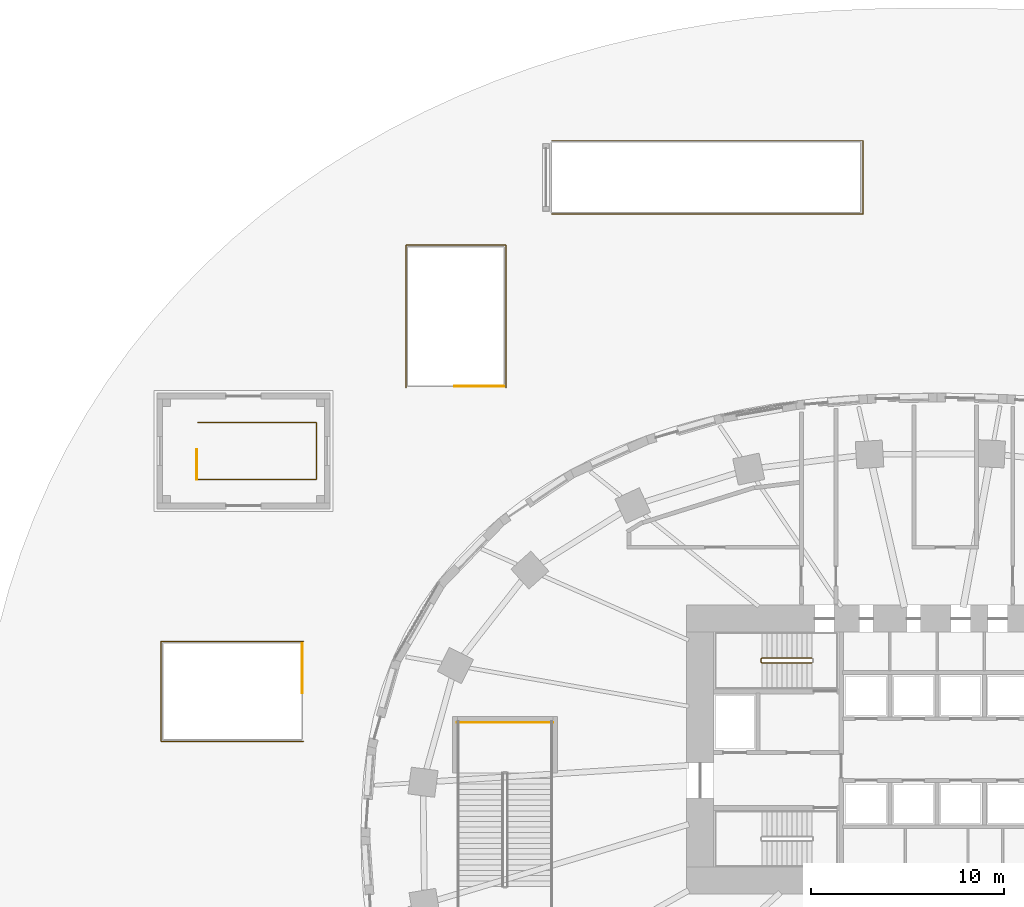
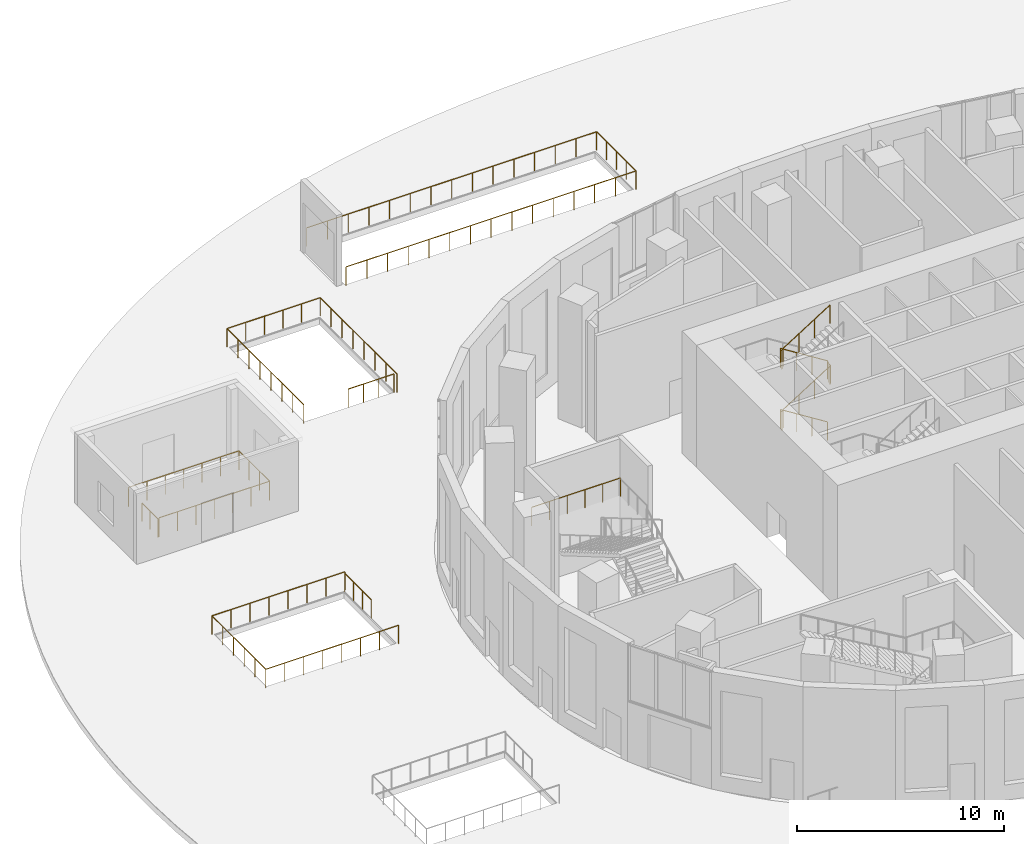
# One storey, part 24 of 27: 9 railings.
"""IFC4 building model written with IfcOpenShell, lengths in metres."""

import ifcopenshell
import ifcopenshell.guid

model = None  # the IFC model being written
_history = None  # IfcOwnerHistory: only IFC2X3 demands one
_inside = {}  # id of a spatial element -> (the spatial element, [elements in it])
_under = {}  # id of a project, library or spatial element -> (it, [spatial elements below it])
_declared = {}  # id of a project -> (the project, [libraries it declares])
_typed = {}  # id of a type object -> (the type object, [elements of that type])
_made_of = {}  # id of a material, layer set ... -> (it, [elements and type objects made of it])


def new_model(schema):
    """Start an empty IFC model of exactly this schema.

    Asked for "IFC4X3", IfcOpenShell would pick the latest addendum, in which some entities
    have other attributes; the version numbers below select the first issue.
    IFC2X3 requires an IfcOwnerHistory on every rooted entity: one is made here for all.
    """
    global model, _history
    if schema == "IFC4X3":
        model = ifcopenshell.file(schema_version=(4, 3, 0, 0))
    else:
        model = ifcopenshell.file(schema=schema)
    _inside.clear()
    _under.clear()
    _declared.clear()
    _typed.clear()
    _made_of.clear()
    _history = None
    if model.schema == "IFC2X3":
        org = make("IfcOrganization", Name="unknown")
        user = make(
            "IfcPersonAndOrganization",
            ThePerson=make("IfcPerson", FamilyName="unknown"),
            TheOrganization=org,
        )
        app = make(
            "IfcApplication",
            ApplicationDeveloper=org,
            Version="unknown",
            ApplicationFullName="unknown",
            ApplicationIdentifier="unknown",
        )
        _history = make(
            "IfcOwnerHistory",
            OwningUser=user,
            OwningApplication=app,
            ChangeAction="ADDED",
            CreationDate=0,
        )
    return model


def make(cls, **values):
    """One entity of the class cls with the attributes given. An attribute that is None is left unset."""
    return model.create_entity(
        cls, **{name: value for name, value in values.items() if value is not None}
    )


def rooted(cls, **values):
    """An entity with a GlobalId (a new one), such as an element, a storey or a relation."""
    return make(cls, GlobalId=ifcopenshell.guid.new(), OwnerHistory=_history, **values)


def si_unit(unit_type, name, prefix=None):
    """IfcSIUnit, for example si_unit("LENGTHUNIT", "METRE", prefix="MILLI")."""
    return make("IfcSIUnit", UnitType=unit_type, Prefix=prefix, Name=name)


def assignment(units):
    """IfcUnitAssignment: the units of a project."""
    return None if units is None else make("IfcUnitAssignment", Units=units)


def point(xyz):
    """IfcCartesianPoint."""
    return None if xyz is None else make("IfcCartesianPoint", Coordinates=xyz)


def direction(xyz):
    """IfcDirection."""
    return None if xyz is None else make("IfcDirection", DirectionRatios=xyz)


def frame(location, z_axis=None, x_axis=None):
    """IfcAxis2Placement3D, a coordinate frame: its origin and axes. An axis left out is left unset."""
    return make(
        "IfcAxis2Placement3D",
        Location=point(location),
        Axis=direction(z_axis),
        RefDirection=direction(x_axis),
    )


def frame_2d(location, x_axis=None):
    """IfcAxis2Placement2D, a coordinate frame in the plane: its origin and x axis."""
    return make(
        "IfcAxis2Placement2D", Location=point(location), RefDirection=direction(x_axis)
    )


def origin():
    """The frame at (0, 0, 0) with its axes left unset."""
    return frame((0.0, 0.0, 0.0))


def origin_2d():
    """The frame at (0, 0) in the plane with its x axis left unset."""
    return frame_2d((0.0, 0.0))


def place(relative_to, where):
    """IfcLocalPlacement: puts the frame where relative to a parent placement (None: the world)."""
    return make(
        "IfcLocalPlacement", PlacementRelTo=relative_to, RelativePlacement=where
    )


def context(
    kind, dimensions, precision=None, world=None, true_north=None, identifier=None
):
    """IfcGeometricRepresentationContext, for example the 3D "Model" context."""
    return make(
        "IfcGeometricRepresentationContext",
        ContextIdentifier=identifier,
        ContextType=kind,
        CoordinateSpaceDimension=dimensions,
        Precision=precision,
        WorldCoordinateSystem=world,
        TrueNorth=true_north,
    )


def subcontext(parent, identifier, kind, view, scale=None):
    """IfcGeometricRepresentationSubContext, for example "Body" below "Model"."""
    return make(
        "IfcGeometricRepresentationSubContext",
        ContextIdentifier=identifier,
        ContextType=kind,
        ParentContext=parent,
        TargetScale=scale,
        TargetView=view,
    )


def project(units=None, contexts=None):
    """IfcProject with its units and contexts."""
    return rooted(
        "IfcProject",
        Name="project",
        RepresentationContexts=contexts,
        UnitsInContext=assignment(units),
    )


def spatial(cls, under=None, at=None, **own):
    """A site, building, storey or space (cls), placed at a placement, below another one or the project."""
    s = rooted(cls, ObjectPlacement=at, **own)
    if under is not None:
        _under.setdefault(under.id(), (under, []))[1].append(s)
    return s


def profile(cls, at=None, kind="AREA", **sizes):
    """A parametric profile (cls). Its sizes go by their IFC names, for example OverallWidth=200.0."""
    return make(cls, ProfileType=kind, Position=at, **sizes)


def circle(**sizes):
    """IfcCircleProfileDef."""
    return profile("IfcCircleProfileDef", **sizes)


def extrude(swept, where, along, depth):
    """IfcExtrudedAreaSolid: the profile swept, set in the frame where, extruded along a direction by depth."""
    return make(
        "IfcExtrudedAreaSolid",
        SweptArea=swept,
        Position=where,
        ExtrudedDirection=direction(along),
        Depth=depth,
    )


def shape(context_of_items, identifier, shape_type, items):
    """IfcShapeRepresentation: the items that make up one representation, for example the "Body"."""
    return make(
        "IfcShapeRepresentation",
        ContextOfItems=context_of_items,
        RepresentationIdentifier=identifier,
        RepresentationType=shape_type,
        Items=items,
    )


def material(Name=None, Category=None):
    """IfcMaterial."""
    return make("IfcMaterial", Name=Name, Category=Category)


def made_of(thing, what):
    """Note that an element or type object is made of a material, layer set ...; save() writes the relation."""
    if what is not None:
        _made_of.setdefault(what.id(), (what, []))[1].append(thing)
    return thing


def type_object(cls, material=None, **own):
    """A type object (cls), such as IfcWallType, which elements share."""
    return made_of(rooted(cls, **own), material)


def element(
    cls,
    number,
    at=None,
    inside=None,
    cuts=None,
    type_object=None,
    material=None,
    context=None,
    identifier="Body",
    shape_type=None,
    held_by="IfcProductDefinitionShape",
    body=None,
    shapes=None,
    **own,
):
    """One element of the class cls, such as IfcWall. Its Tag is "e" and its number.

    at: its placement. inside: the storey or other place that contains it. cuts: it is an
    opening in that element (IfcRelVoidsElement). A single representation is given by context,
    identifier, shape_type and body (its items); several are given by shapes. held_by: the class
    of the entity that holds the representations. save() writes the other relations.
    """
    e = rooted(cls, Tag="e%d" % number, ObjectPlacement=at, **own)
    if body is not None:
        shapes = [shape(context, identifier, shape_type, body)]
    if shapes is not None:
        e.Representation = make(held_by, Representations=shapes)
    if inside is not None:
        _inside.setdefault(inside.id(), (inside, []))[1].append(e)
    if cuts is not None:
        rooted(
            "IfcRelVoidsElement", RelatingBuildingElement=cuts, RelatedOpeningElement=e
        )
    if type_object is not None:
        _typed.setdefault(type_object.id(), (type_object, []))[1].append(e)
    return made_of(e, material)


def aggregate(whole, parts):
    """IfcRelAggregates: a whole, such as a stair, and the parts it consists of."""
    return rooted("IfcRelAggregates", RelatingObject=whole, RelatedObjects=parts)


def save(model, path):
    """Write the relations noted so far, then the file.

    IfcRelAggregates (storeys below a building ...), IfcRelContainedInSpatialStructure (elements
    in a storey), IfcRelDefinesByType, IfcRelAssociatesMaterial and IfcRelDeclares: one each for
    every whole, place, type object, material and project.
    """
    for whole, parts in _under.values():
        aggregate(whole, parts)
    for where, things in _inside.values():
        rooted(
            "IfcRelContainedInSpatialStructure",
            RelatedElements=things,
            RelatingStructure=where,
        )
    for kind, things in _typed.values():
        rooted("IfcRelDefinesByType", RelatedObjects=things, RelatingType=kind)
    for what, things in _made_of.values():
        rooted("IfcRelAssociatesMaterial", RelatedObjects=things, RelatingMaterial=what)
    for by, libraries in _declared.values():
        rooted("IfcRelDeclares", RelatingContext=by, RelatedDefinitions=libraries)
    model.write(path)


model = new_model("IFC4")

# Units and contexts
model_context = context("Model", 3, precision=1e-05, world=origin(), true_north=direction((0.0, 1.0)))
body_context = subcontext(model_context, "Body", "Model", "MODEL_VIEW")
ifc_project = project(units=[si_unit("LENGTHUNIT", "METRE"), si_unit("AREAUNIT", "SQUARE_METRE"), si_unit("VOLUMEUNIT", "CUBIC_METRE"), si_unit("PLANEANGLEUNIT", "RADIAN"), si_unit("MASSUNIT", "GRAM", prefix="KILO")], contexts=[model_context])

# Site, building, storey
site_placement = place(None, origin())
site = spatial("IfcSite", under=ifc_project, at=site_placement, CompositionType="ELEMENT")
building_placement = place(site_placement, origin())
building = spatial("IfcBuilding", under=site, at=building_placement, Name="Rubra Terraces Tower", CompositionType="ELEMENT")
storey_placement = place(building_placement, origin())
storey = spatial("IfcBuildingStorey", under=building, at=storey_placement, Name="L00", CompositionType="ELEMENT", Elevation=0.0)

# Railings
ifc_material_1 = material(Name="Stainless steel", Category="steel")
railing_type_1 = type_object("IfcRailingType", Name="Core stair guard 1100", PredefinedType="GUARDRAIL", material=ifc_material_1)
railing_1_placement = place(storey_placement, frame((-6.5, 9.25, 0.16357421875)))
element("IfcRailing", 1, at=railing_1_placement, inside=storey, type_object=railing_type_1, Name="L00 stair S2 guard 1", PredefinedType="GUARDRAIL", context=body_context, shape_type="SweptSolid", body=[
    extrude(circle(Radius=0.02392578125, at=origin_2d()), frame((0.0, 0.0, 1.076171875), z_axis=(-0.846324394277, 0.0, 0.532667832379), x_axis=(0.0, -1.0, 0.0)), (0.0, 0.0, 1.0), 3.072265625),
    extrude(circle(Radius=0.02392578125, at=origin_2d()), frame((-2.60009765625, 0.0, 2.71240234375), z_axis=(-0.705375805398, -0.708833529934, 0.0), x_axis=(0.708833529934, -0.705375805398, 0.0)), (0.0, 0.0, 1.0), 0.070556640625),
    extrude(circle(Radius=0.02392578125, at=origin_2d()), frame((-2.64990234375, -0.050048828125, 2.71240234375), z_axis=(0.0, -1.0, 0.0), x_axis=(1.0, 0.0, 0.0)), (0.0, 0.0, 1.0), 0.14990234375),
    extrude(circle(Radius=0.02392578125, at=origin_2d()), frame((-2.64990234375, -0.199951171875, 2.71240234375), z_axis=(0.279546231943, -0.280916556609, 0.91811752648), x_axis=(0.708833529934, 0.705375805398, 0.0)), (0.0, 0.0, 1.0), 0.17822265625),
    extrude(circle(Radius=0.02392578125, at=origin_2d()), frame((-2.60009765625, -0.25, 2.8759765625), z_axis=(0.846324394277, 0.0, 0.532667832379), x_axis=(0.0, 1.0, 0.0)), (0.0, 0.0, 1.0), 3.072265625),
    extrude(circle(Radius=0.02392578125, at=origin_2d()), frame((0.0, -0.25, 4.5126953125), z_axis=(0.707106781187, 0.707106781187, 0.0), x_axis=(-0.707106781187, 0.707106781187, 0.0)), (0.0, 0.0, 1.0), 0.07080078125),
    extrude(circle(Radius=0.02392578125, at=origin_2d()), frame((0.050048828125, -0.199951171875, 4.5126953125), z_axis=(0.0, 1.0, 0.0), x_axis=(-1.0, 0.0, 0.0)), (0.0, 0.0, 1.0), 0.14990234375),
    extrude(circle(Radius=0.02392578125, at=origin_2d()), frame((0.050048828125, -0.050048828125, 4.5126953125), z_axis=(-0.280808744504, 0.280808744504, 0.917765164963), x_axis=(-0.707106781187, -0.707106781187, 0.0)), (0.0, 0.0, 1.0), 0.17822265625),
    extrude(circle(Radius=0.02392578125, at=origin_2d()), frame((0.0, 0.0, 4.67626953125), z_axis=(-0.846360218416, 0.0, 0.532610909279), x_axis=(0.0, -1.0, 0.0)), (0.0, 0.0, 1.0), 3.072021484375),
    extrude(circle(Radius=0.02392578125, at=origin_2d()), frame((-2.60009765625, 0.0, 6.3125), z_axis=(-0.705375805398, -0.708833529934, 0.0), x_axis=(0.708833529934, -0.705375805398, 0.0)), (0.0, 0.0, 1.0), 0.070556640625),
    extrude(circle(Radius=0.02392578125, at=origin_2d()), frame((-2.64990234375, -0.050048828125, 6.3125), z_axis=(0.0, -1.0, 0.0), x_axis=(1.0, 0.0, 0.0)), (0.0, 0.0, 1.0), 0.14990234375),
    extrude(circle(Radius=0.02392578125, at=origin_2d()), frame((-2.64990234375, -0.199951171875, 6.3125), z_axis=(0.279194930351, -0.280563532951, 0.91833234444), x_axis=(0.708833529934, 0.705375805398, 0.0)), (0.0, 0.0, 1.0), 0.178466796875),
    extrude(circle(Radius=0.02392578125, at=origin_2d()), frame((-2.60009765625, -0.25, 6.47607421875), z_axis=(0.846360218416, 0.0, 0.532610909279), x_axis=(0.0, 1.0, 0.0)), (0.0, 0.0, 1.0), 3.072021484375),
    extrude(circle(Radius=0.02099609375, at=origin_2d()), origin(), (0.0, 0.0, 1.0), 1.052001953125),
    extrude(circle(Radius=0.02099609375, at=origin_2d()), frame((-0.86669921875, 0.0, 0.54541015625)), (0.0, 0.0, 1.0), 1.052001953125),
    extrude(circle(Radius=0.02099609375, at=origin_2d()), frame((-1.7333984375, 0.0, 1.091064453125)), (0.0, 0.0, 1.0), 1.052001953125),
    extrude(circle(Radius=0.02099609375, at=origin_2d()), frame((-2.60009765625, 0.0, 1.636474609375)), (0.0, 0.0, 1.0), 1.052001953125),
    extrude(circle(Radius=0.02099609375, at=origin_2d()), frame((-2.64990234375, -0.050048828125, 1.636474609375)), (0.0, 0.0, 1.0), 1.052001953125),
    extrude(circle(Radius=0.02099609375, at=origin_2d()), frame((-2.64990234375, -0.199951171875, 1.636474609375)), (0.0, 0.0, 1.0), 1.052001953125),
    extrude(circle(Radius=0.02099609375, at=origin_2d()), frame((-2.60009765625, -0.25, 1.800048828125)), (0.0, 0.0, 1.0), 1.052001953125),
    extrude(circle(Radius=0.02099609375, at=origin_2d()), frame((-1.7333984375, -0.25, 2.345458984375)), (0.0, 0.0, 1.0), 1.052001953125),
    extrude(circle(Radius=0.02099609375, at=origin_2d()), frame((-0.86669921875, -0.25, 2.89111328125)), (0.0, 0.0, 1.0), 1.052001953125),
    extrude(circle(Radius=0.02099609375, at=origin_2d()), frame((0.0, -0.25, 3.4365234375)), (0.0, 0.0, 1.0), 1.052001953125),
    extrude(circle(Radius=0.02099609375, at=origin_2d()), frame((0.050048828125, -0.199951171875, 3.4365234375)), (0.0, 0.0, 1.0), 1.052001953125),
    extrude(circle(Radius=0.02099609375, at=origin_2d()), frame((0.050048828125, -0.050048828125, 3.4365234375)), (0.0, 0.0, 1.0), 1.052001953125),
    extrude(circle(Radius=0.02099609375, at=origin_2d()), frame((0.0, 0.0, 3.60009765625)), (0.0, 0.0, 1.0), 1.052001953125),
    extrude(circle(Radius=0.02099609375, at=origin_2d()), frame((-0.86669921875, 0.0, 4.1455078125)), (0.0, 0.0, 1.0), 1.052001953125),
    extrude(circle(Radius=0.02099609375, at=origin_2d()), frame((-1.7333984375, 0.0, 4.69091796875)), (0.0, 0.0, 1.0), 1.052001953125),
    extrude(circle(Radius=0.02099609375, at=origin_2d()), frame((-2.60009765625, 0.0, 5.236328125)), (0.0, 0.0, 1.0), 1.052001953125),
    extrude(circle(Radius=0.02099609375, at=origin_2d()), frame((-2.64990234375, -0.050048828125, 5.236328125)), (0.0, 0.0, 1.0), 1.052001953125),
    extrude(circle(Radius=0.02099609375, at=origin_2d()), frame((-2.64990234375, -0.199951171875, 5.236328125)), (0.0, 0.0, 1.0), 1.052001953125),
    extrude(circle(Radius=0.02099609375, at=origin_2d()), frame((-2.60009765625, -0.25, 5.400146484375)), (0.0, 0.0, 1.0), 1.052001953125),
    extrude(circle(Radius=0.02099609375, at=origin_2d()), frame((-1.7333984375, -0.25, 5.945556640625)), (0.0, 0.0, 1.0), 1.052001953125),
    extrude(circle(Radius=0.02099609375, at=origin_2d()), frame((-0.86669921875, -0.25, 6.490966796875)), (0.0, 0.0, 1.0), 1.052001953125),
    extrude(circle(Radius=0.02099609375, at=origin_2d()), frame((0.0, -0.25, 7.036376953125)), (0.0, 0.0, 1.0), 1.052001953125),
])
railing_type_2 = type_object("IfcRailingType", Name="Guard 1100", PredefinedType="GUARDRAIL", material=ifc_material_1)
railing_2_placement = place(storey_placement, frame((-20.0, 36.10009765625, 0.0400390625)))
element("IfcRailing", 2, at=railing_2_placement, inside=storey, type_object=railing_type_2, Name="Guard at ramp opening", PredefinedType="GUARDRAIL", context=body_context, shape_type="SweptSolid", body=[
    extrude(circle(Radius=0.02392578125, at=origin_2d()), frame((0.0, 0.0, 1.076171875), z_axis=(1.0, 0.0, 0.0), x_axis=(0.0, 1.0, 0.0)), (0.0, 0.0, 1.0), 16.14990234375),
    extrude(circle(Radius=0.02392578125, at=origin_2d()), frame((16.14990234375, 0.0, 1.076171875), z_axis=(0.0, -1.0, 0.0), x_axis=(1.0, 0.0, 0.0)), (0.0, 0.0, 1.0), 3.800048828125),
    extrude(circle(Radius=0.02392578125, at=origin_2d()), frame((16.14990234375, -3.800048828125, 1.076171875), z_axis=(-1.0, 0.0, 0.0), x_axis=(0.0, -1.0, 0.0)), (0.0, 0.0, 1.0), 16.14990234375),
    extrude(circle(Radius=0.02099609375, at=origin_2d()), origin(), (0.0, 0.0, 1.0), 1.052001953125),
    extrude(circle(Radius=0.02099609375, at=origin_2d()), frame((1.153564453125, 0.0, 0.0)), (0.0, 0.0, 1.0), 1.052001953125),
    extrude(circle(Radius=0.02099609375, at=origin_2d()), frame((2.30712890625, 0.0, 0.0)), (0.0, 0.0, 1.0), 1.052001953125),
    extrude(circle(Radius=0.02099609375, at=origin_2d()), frame((3.460693359375, 0.0, 0.0)), (0.0, 0.0, 1.0), 1.052001953125),
    extrude(circle(Radius=0.02099609375, at=origin_2d()), frame((4.6142578125, 0.0, 0.0)), (0.0, 0.0, 1.0), 1.052001953125),
    extrude(circle(Radius=0.02099609375, at=origin_2d()), frame((5.767822265625, 0.0, 0.0)), (0.0, 0.0, 1.0), 1.052001953125),
    extrude(circle(Radius=0.02099609375, at=origin_2d()), frame((6.92138671875, 0.0, 0.0)), (0.0, 0.0, 1.0), 1.052001953125),
    extrude(circle(Radius=0.02099609375, at=origin_2d()), frame((8.074951171875, 0.0, 0.0)), (0.0, 0.0, 1.0), 1.052001953125),
    extrude(circle(Radius=0.02099609375, at=origin_2d()), frame((9.228515625, 0.0, 0.0)), (0.0, 0.0, 1.0), 1.052001953125),
    extrude(circle(Radius=0.02099609375, at=origin_2d()), frame((10.382080078125, 0.0, 0.0)), (0.0, 0.0, 1.0), 1.052001953125),
    extrude(circle(Radius=0.02099609375, at=origin_2d()), frame((11.53564453125, 0.0, 0.0)), (0.0, 0.0, 1.0), 1.052001953125),
    extrude(circle(Radius=0.02099609375, at=origin_2d()), frame((12.689208984375, 0.0, 0.0)), (0.0, 0.0, 1.0), 1.052001953125),
    extrude(circle(Radius=0.02099609375, at=origin_2d()), frame((13.8427734375, 0.0, 0.0)), (0.0, 0.0, 1.0), 1.052001953125),
    extrude(circle(Radius=0.02099609375, at=origin_2d()), frame((14.996337890625, 0.0, 0.0)), (0.0, 0.0, 1.0), 1.052001953125),
    extrude(circle(Radius=0.02099609375, at=origin_2d()), frame((16.14990234375, 0.0, 0.0)), (0.0, 0.0, 1.0), 1.052001953125),
    extrude(circle(Radius=0.02099609375, at=origin_2d()), frame((16.14990234375, -0.949951171875, 0.0)), (0.0, 0.0, 1.0), 1.052001953125),
    extrude(circle(Radius=0.02099609375, at=origin_2d()), frame((16.14990234375, -1.89990234375, 0.0)), (0.0, 0.0, 1.0), 1.052001953125),
    extrude(circle(Radius=0.02099609375, at=origin_2d()), frame((16.14990234375, -2.85009765625, 0.0)), (0.0, 0.0, 1.0), 1.052001953125),
    extrude(circle(Radius=0.02099609375, at=origin_2d()), frame((16.14990234375, -3.800048828125, 0.0)), (0.0, 0.0, 1.0), 1.052001953125),
    extrude(circle(Radius=0.02099609375, at=origin_2d()), frame((14.996337890625, -3.800048828125, 0.0)), (0.0, 0.0, 1.0), 1.052001953125),
    extrude(circle(Radius=0.02099609375, at=origin_2d()), frame((13.8427734375, -3.800048828125, 0.0)), (0.0, 0.0, 1.0), 1.052001953125),
    extrude(circle(Radius=0.02099609375, at=origin_2d()), frame((12.689208984375, -3.800048828125, 0.0)), (0.0, 0.0, 1.0), 1.052001953125),
    extrude(circle(Radius=0.02099609375, at=origin_2d()), frame((11.53564453125, -3.800048828125, 0.0)), (0.0, 0.0, 1.0), 1.052001953125),
    extrude(circle(Radius=0.02099609375, at=origin_2d()), frame((10.382080078125, -3.800048828125, 0.0)), (0.0, 0.0, 1.0), 1.052001953125),
    extrude(circle(Radius=0.02099609375, at=origin_2d()), frame((9.228515625, -3.800048828125, 0.0)), (0.0, 0.0, 1.0), 1.052001953125),
    extrude(circle(Radius=0.02099609375, at=origin_2d()), frame((8.074951171875, -3.800048828125, 0.0)), (0.0, 0.0, 1.0), 1.052001953125),
    extrude(circle(Radius=0.02099609375, at=origin_2d()), frame((6.92138671875, -3.800048828125, 0.0)), (0.0, 0.0, 1.0), 1.052001953125),
    extrude(circle(Radius=0.02099609375, at=origin_2d()), frame((5.767822265625, -3.800048828125, 0.0)), (0.0, 0.0, 1.0), 1.052001953125),
    extrude(circle(Radius=0.02099609375, at=origin_2d()), frame((4.6142578125, -3.800048828125, 0.0)), (0.0, 0.0, 1.0), 1.052001953125),
    extrude(circle(Radius=0.02099609375, at=origin_2d()), frame((3.460693359375, -3.800048828125, 0.0)), (0.0, 0.0, 1.0), 1.052001953125),
    extrude(circle(Radius=0.02099609375, at=origin_2d()), frame((2.30712890625, -3.800048828125, 0.0)), (0.0, 0.0, 1.0), 1.052001953125),
    extrude(circle(Radius=0.02099609375, at=origin_2d()), frame((1.153564453125, -3.800048828125, 0.0)), (0.0, 0.0, 1.0), 1.052001953125),
    extrude(circle(Radius=0.02099609375, at=origin_2d()), frame((0.0, -3.800048828125, 0.0)), (0.0, 0.0, 1.0), 1.052001953125),
])
railing_type_3 = type_object("IfcRailingType", Name="Public stair guard 1100", PredefinedType="GUARDRAIL", material=ifc_material_1)
railing_3_placement = place(storey_placement, frame((-19.949951171875, 5.909912109375, 3.60009765625)))
element("IfcRailing", 3, at=railing_3_placement, inside=storey, type_object=railing_type_3, Name="L00 PS1 stair guard 5", PredefinedType="GUARDRAIL", context=body_context, shape_type="SweptSolid", body=[
    extrude(circle(Radius=0.02392578125, at=origin_2d()), frame((0.0, 0.0, 1.076171875), z_axis=(-1.0, 0.0, 0.0), x_axis=(0.0, -1.0, 0.0)), (0.0, 0.0, 1.0), 4.949951171875),
    extrude(circle(Radius=0.02099609375, at=origin_2d()), origin(), (0.0, 0.0, 1.0), 1.052001953125),
    extrude(circle(Radius=0.02099609375, at=origin_2d()), frame((-0.989990234375, 0.0, 0.0)), (0.0, 0.0, 1.0), 1.052001953125),
    extrude(circle(Radius=0.02099609375, at=origin_2d()), frame((-1.97998046875, 0.0, 0.0)), (0.0, 0.0, 1.0), 1.052001953125),
    extrude(circle(Radius=0.02099609375, at=origin_2d()), frame((-2.969970703125, 0.0, 0.0)), (0.0, 0.0, 1.0), 1.052001953125),
    extrude(circle(Radius=0.02099609375, at=origin_2d()), frame((-3.9599609375, 0.0, 0.0)), (0.0, 0.0, 1.0), 1.052001953125),
    extrude(circle(Radius=0.02099609375, at=origin_2d()), frame((-4.949951171875, 0.0, 0.0)), (0.0, 0.0, 1.0), 1.052001953125),
])
railing_4_placement = place(storey_placement, frame((-32.949951171875, 10.0, 0.0400390625)))
element("IfcRailing", 4, at=railing_4_placement, inside=storey, type_object=railing_type_3, Name="L00 SE3 top well guard 1", PredefinedType="GUARDRAIL", context=body_context, shape_type="SweptSolid", body=[
    extrude(circle(Radius=0.02392578125, at=origin_2d()), frame((0.0, 0.0, 1.076171875), z_axis=(0.0, -1.0, 0.0), x_axis=(1.0, 0.0, 0.0)), (0.0, 0.0, 1.0), 2.550048828125),
    extrude(circle(Radius=0.02099609375, at=origin_2d()), origin(), (0.0, 0.0, 1.0), 1.052001953125),
    extrude(circle(Radius=0.02099609375, at=origin_2d()), frame((0.0, -0.85009765625, 0.0)), (0.0, 0.0, 1.0), 1.052001953125),
    extrude(circle(Radius=0.02099609375, at=origin_2d()), frame((0.0, -1.699951171875, 0.0)), (0.0, 0.0, 1.0), 1.052001953125),
    extrude(circle(Radius=0.02099609375, at=origin_2d()), frame((0.0, -2.550048828125, 0.0)), (0.0, 0.0, 1.0), 1.052001953125),
])
railing_5_placement = place(storey_placement, frame((-32.8798828125, 10.1201171875, 0.0400390625)))
element("IfcRailing", 5, at=railing_5_placement, inside=storey, type_object=railing_type_3, Name="Guard at stair well", PredefinedType="GUARDRAIL", context=body_context, shape_type="SweptSolid", body=[
    extrude(circle(Radius=0.02392578125, at=origin_2d()), frame((0.0, 0.0, 1.076171875), z_axis=(-1.0, 0.0, 0.0), x_axis=(0.0, -1.0, 0.0)), (0.0, 0.0, 1.0), 7.400146484375),
    extrude(circle(Radius=0.02392578125, at=origin_2d()), frame((-7.400146484375, 0.0, 1.076171875), z_axis=(0.0, -1.0, 0.0), x_axis=(1.0, 0.0, 0.0)), (0.0, 0.0, 1.0), 5.190185546875),
    extrude(circle(Radius=0.02392578125, at=origin_2d()), frame((-7.400146484375, -5.190185546875, 1.076171875), z_axis=(1.0, 0.0, 0.0), x_axis=(0.0, 1.0, 0.0)), (0.0, 0.0, 1.0), 7.400146484375),
    extrude(circle(Radius=0.02099609375, at=origin_2d()), origin(), (0.0, 0.0, 1.0), 1.052001953125),
    extrude(circle(Radius=0.02099609375, at=origin_2d()), frame((-1.05712890625, 0.0, 0.0)), (0.0, 0.0, 1.0), 1.052001953125),
    extrude(circle(Radius=0.02099609375, at=origin_2d()), frame((-2.1142578125, 0.0, 0.0)), (0.0, 0.0, 1.0), 1.052001953125),
    extrude(circle(Radius=0.02099609375, at=origin_2d()), frame((-3.17138671875, 0.0, 0.0)), (0.0, 0.0, 1.0), 1.052001953125),
    extrude(circle(Radius=0.02099609375, at=origin_2d()), frame((-4.228759765625, 0.0, 0.0)), (0.0, 0.0, 1.0), 1.052001953125),
    extrude(circle(Radius=0.02099609375, at=origin_2d()), frame((-5.285888671875, 0.0, 0.0)), (0.0, 0.0, 1.0), 1.052001953125),
    extrude(circle(Radius=0.02099609375, at=origin_2d()), frame((-6.343017578125, 0.0, 0.0)), (0.0, 0.0, 1.0), 1.052001953125),
    extrude(circle(Radius=0.02099609375, at=origin_2d()), frame((-7.400146484375, 0.0, 0.0)), (0.0, 0.0, 1.0), 1.052001953125),
    extrude(circle(Radius=0.02099609375, at=origin_2d()), frame((-7.400146484375, -1.0380859375, 0.0)), (0.0, 0.0, 1.0), 1.052001953125),
    extrude(circle(Radius=0.02099609375, at=origin_2d()), frame((-7.400146484375, -2.076171875, 0.0)), (0.0, 0.0, 1.0), 1.052001953125),
    extrude(circle(Radius=0.02099609375, at=origin_2d()), frame((-7.400146484375, -3.114013671875, 0.0)), (0.0, 0.0, 1.0), 1.052001953125),
    extrude(circle(Radius=0.02099609375, at=origin_2d()), frame((-7.400146484375, -4.152099609375, 0.0)), (0.0, 0.0, 1.0), 1.052001953125),
    extrude(circle(Radius=0.02099609375, at=origin_2d()), frame((-7.400146484375, -5.190185546875, 0.0)), (0.0, 0.0, 1.0), 1.052001953125),
    extrude(circle(Radius=0.02099609375, at=origin_2d()), frame((-6.343017578125, -5.190185546875, 0.0)), (0.0, 0.0, 1.0), 1.052001953125),
    extrude(circle(Radius=0.02099609375, at=origin_2d()), frame((-5.285888671875, -5.190185546875, 0.0)), (0.0, 0.0, 1.0), 1.052001953125),
    extrude(circle(Radius=0.02099609375, at=origin_2d()), frame((-4.228759765625, -5.190185546875, 0.0)), (0.0, 0.0, 1.0), 1.052001953125),
    extrude(circle(Radius=0.02099609375, at=origin_2d()), frame((-3.17138671875, -5.190185546875, 0.0)), (0.0, 0.0, 1.0), 1.052001953125),
    extrude(circle(Radius=0.02099609375, at=origin_2d()), frame((-2.1142578125, -5.190185546875, 0.0)), (0.0, 0.0, 1.0), 1.052001953125),
    extrude(circle(Radius=0.02099609375, at=origin_2d()), frame((-1.05712890625, -5.190185546875, 0.0)), (0.0, 0.0, 1.0), 1.052001953125),
    extrude(circle(Radius=0.02099609375, at=origin_2d()), frame((0.0, -5.190185546875, 0.0)), (0.0, 0.0, 1.0), 1.052001953125),
])
railing_6_placement = place(storey_placement, frame((-22.5, 23.35009765625, 0.0400390625)))
element("IfcRailing", 6, at=railing_6_placement, inside=storey, type_object=railing_type_3, Name="L00 SE5 top well guard 1", PredefinedType="GUARDRAIL", context=body_context, shape_type="SweptSolid", body=[
    extrude(circle(Radius=0.02392578125, at=origin_2d()), frame((0.0, 0.0, 1.076171875), z_axis=(-1.0, 0.0, 0.0), x_axis=(0.0, -1.0, 0.0)), (0.0, 0.0, 1.0), 2.550048828125),
    extrude(circle(Radius=0.02099609375, at=origin_2d()), origin(), (0.0, 0.0, 1.0), 1.052001953125),
    extrude(circle(Radius=0.02099609375, at=origin_2d()), frame((-0.85009765625, 0.0, 0.0)), (0.0, 0.0, 1.0), 1.052001953125),
    extrude(circle(Radius=0.02099609375, at=origin_2d()), frame((-1.699951171875, 0.0, 0.0)), (0.0, 0.0, 1.0), 1.052001953125),
    extrude(circle(Radius=0.02099609375, at=origin_2d()), frame((-2.550048828125, 0.0, 0.0)), (0.0, 0.0, 1.0), 1.052001953125),
])
railing_7_placement = place(storey_placement, frame((-22.3798828125, 23.280029296875, 0.0400390625)))
element("IfcRailing", 7, at=railing_7_placement, inside=storey, type_object=railing_type_3, Name="Guard at stair well", PredefinedType="GUARDRAIL", context=body_context, shape_type="SweptSolid", body=[
    extrude(circle(Radius=0.02392578125, at=origin_2d()), frame((0.0, 0.0, 1.076171875), z_axis=(0.0, 1.0, 0.0), x_axis=(-1.0, 0.0, 0.0)), (0.0, 0.0, 1.0), 7.39990234375),
    extrude(circle(Radius=0.02392578125, at=origin_2d()), frame((0.0, 7.39990234375, 1.076171875), z_axis=(-1.0, 0.0, 0.0), x_axis=(0.0, -1.0, 0.0)), (0.0, 0.0, 1.0), 5.190185546875),
    extrude(circle(Radius=0.02392578125, at=origin_2d()), frame((-5.190185546875, 7.39990234375, 1.076171875), z_axis=(0.0, -1.0, 0.0), x_axis=(1.0, 0.0, 0.0)), (0.0, 0.0, 1.0), 7.39990234375),
    extrude(circle(Radius=0.02099609375, at=origin_2d()), origin(), (0.0, 0.0, 1.0), 1.052001953125),
    extrude(circle(Radius=0.02099609375, at=origin_2d()), frame((0.0, 1.05712890625, 0.0)), (0.0, 0.0, 1.0), 1.052001953125),
    extrude(circle(Radius=0.02099609375, at=origin_2d()), frame((0.0, 2.1142578125, 0.0)), (0.0, 0.0, 1.0), 1.052001953125),
    extrude(circle(Radius=0.02099609375, at=origin_2d()), frame((0.0, 3.17138671875, 0.0)), (0.0, 0.0, 1.0), 1.052001953125),
    extrude(circle(Radius=0.02099609375, at=origin_2d()), frame((0.0, 4.228515625, 0.0)), (0.0, 0.0, 1.0), 1.052001953125),
    extrude(circle(Radius=0.02099609375, at=origin_2d()), frame((0.0, 5.28564453125, 0.0)), (0.0, 0.0, 1.0), 1.052001953125),
    extrude(circle(Radius=0.02099609375, at=origin_2d()), frame((0.0, 6.3427734375, 0.0)), (0.0, 0.0, 1.0), 1.052001953125),
    extrude(circle(Radius=0.02099609375, at=origin_2d()), frame((0.0, 7.39990234375, 0.0)), (0.0, 0.0, 1.0), 1.052001953125),
    extrude(circle(Radius=0.02099609375, at=origin_2d()), frame((-1.0380859375, 7.39990234375, 0.0)), (0.0, 0.0, 1.0), 1.052001953125),
    extrude(circle(Radius=0.02099609375, at=origin_2d()), frame((-2.076171875, 7.39990234375, 0.0)), (0.0, 0.0, 1.0), 1.052001953125),
    extrude(circle(Radius=0.02099609375, at=origin_2d()), frame((-3.114013671875, 7.39990234375, 0.0)), (0.0, 0.0, 1.0), 1.052001953125),
    extrude(circle(Radius=0.02099609375, at=origin_2d()), frame((-4.152099609375, 7.39990234375, 0.0)), (0.0, 0.0, 1.0), 1.052001953125),
    extrude(circle(Radius=0.02099609375, at=origin_2d()), frame((-5.190185546875, 7.39990234375, 0.0)), (0.0, 0.0, 1.0), 1.052001953125),
    extrude(circle(Radius=0.02099609375, at=origin_2d()), frame((-5.190185546875, 6.3427734375, 0.0)), (0.0, 0.0, 1.0), 1.052001953125),
    extrude(circle(Radius=0.02099609375, at=origin_2d()), frame((-5.190185546875, 5.28564453125, 0.0)), (0.0, 0.0, 1.0), 1.052001953125),
    extrude(circle(Radius=0.02099609375, at=origin_2d()), frame((-5.190185546875, 4.228515625, 0.0)), (0.0, 0.0, 1.0), 1.052001953125),
    extrude(circle(Radius=0.02099609375, at=origin_2d()), frame((-5.190185546875, 3.17138671875, 0.0)), (0.0, 0.0, 1.0), 1.052001953125),
    extrude(circle(Radius=0.02099609375, at=origin_2d()), frame((-5.190185546875, 2.1142578125, 0.0)), (0.0, 0.0, 1.0), 1.052001953125),
    extrude(circle(Radius=0.02099609375, at=origin_2d()), frame((-5.190185546875, 1.05712890625, 0.0)), (0.0, 0.0, 1.0), 1.052001953125),
    extrude(circle(Radius=0.02099609375, at=origin_2d()), frame((-5.190185546875, 0.0, 0.0)), (0.0, 0.0, 1.0), 1.052001953125),
])
ifc_material_2 = material(Name="Steel, powder-coated dark grey", Category="steel")
railing_type_4 = type_object("IfcRailingType", Name="Station stair guard 1100", PredefinedType="GUARDRAIL", material=ifc_material_2)
railing_8_placement = place(storey_placement, frame((-38.429931640625, 18.52490234375, 0.0)))
element("IfcRailing", 8, at=railing_8_placement, inside=storey, type_object=railing_type_4, Name="L00 SP2-S top well guard 1", PredefinedType="GUARDRAIL", context=body_context, shape_type="SweptSolid", body=[
    extrude(circle(Radius=0.02392578125, at=origin_2d()), frame((0.0, 0.0, 1.076171875), z_axis=(0.0, 1.0, 0.0), x_axis=(-1.0, 0.0, 0.0)), (0.0, 0.0, 1.0), 1.550048828125),
    extrude(circle(Radius=0.02099609375, at=origin_2d()), origin(), (0.0, 0.0, 1.0), 1.052001953125),
    extrude(circle(Radius=0.02099609375, at=origin_2d()), frame((0.0, 0.77490234375, 0.0)), (0.0, 0.0, 1.0), 1.052001953125),
    extrude(circle(Radius=0.02099609375, at=origin_2d()), frame((0.0, 1.550048828125, 0.0)), (0.0, 0.0, 1.0), 1.052001953125),
])
railing_9_placement = place(storey_placement, frame((-38.3798828125, 18.52490234375, 0.0)))
element("IfcRailing", 9, at=railing_9_placement, inside=storey, type_object=railing_type_4, Name="Pavilion SP2 stair well guard", PredefinedType="GUARDRAIL", context=body_context, shape_type="SweptSolid", body=[
    extrude(circle(Radius=0.02392578125, at=origin_2d()), frame((0.0, 0.0, 1.1259765625), z_axis=(1.0, 0.0, 0.0), x_axis=(0.0, 1.0, 0.0)), (0.0, 0.0, 1.0), 6.159912109375),
    extrude(circle(Radius=0.02392578125, at=origin_2d()), frame((6.159912109375, 0.0, 1.1259765625), z_axis=(0.0, 1.0, 0.0), x_axis=(-1.0, 0.0, 0.0)), (0.0, 0.0, 1.0), 2.9501953125),
    extrude(circle(Radius=0.02392578125, at=origin_2d()), frame((6.159912109375, 2.9501953125, 1.1259765625), z_axis=(-1.0, 0.0, 0.0), x_axis=(0.0, -1.0, 0.0)), (0.0, 0.0, 1.0), 6.159912109375),
    extrude(circle(Radius=0.02099609375, at=origin_2d()), origin(), (0.0, 0.0, 1.0), 1.101806640625),
    extrude(circle(Radius=0.02099609375, at=origin_2d()), frame((1.026611328125, 0.0, 0.0)), (0.0, 0.0, 1.0), 1.101806640625),
    extrude(circle(Radius=0.02099609375, at=origin_2d()), frame((2.05322265625, 0.0, 0.0)), (0.0, 0.0, 1.0), 1.101806640625),
    extrude(circle(Radius=0.02099609375, at=origin_2d()), frame((3.080078125, 0.0, 0.0)), (0.0, 0.0, 1.0), 1.101806640625),
    extrude(circle(Radius=0.02099609375, at=origin_2d()), frame((4.106689453125, 0.0, 0.0)), (0.0, 0.0, 1.0), 1.101806640625),
    extrude(circle(Radius=0.02099609375, at=origin_2d()), frame((5.13330078125, 0.0, 0.0)), (0.0, 0.0, 1.0), 1.101806640625),
    extrude(circle(Radius=0.02099609375, at=origin_2d()), frame((6.159912109375, 0.0, 0.0)), (0.0, 0.0, 1.0), 1.101806640625),
    extrude(circle(Radius=0.02099609375, at=origin_2d()), frame((6.159912109375, 0.9833984375, 0.0)), (0.0, 0.0, 1.0), 1.101806640625),
    extrude(circle(Radius=0.02099609375, at=origin_2d()), frame((6.159912109375, 1.966796875, 0.0)), (0.0, 0.0, 1.0), 1.101806640625),
    extrude(circle(Radius=0.02099609375, at=origin_2d()), frame((6.159912109375, 2.9501953125, 0.0)), (0.0, 0.0, 1.0), 1.101806640625),
    extrude(circle(Radius=0.02099609375, at=origin_2d()), frame((5.13330078125, 2.9501953125, 0.0)), (0.0, 0.0, 1.0), 1.101806640625),
    extrude(circle(Radius=0.02099609375, at=origin_2d()), frame((4.106689453125, 2.9501953125, 0.0)), (0.0, 0.0, 1.0), 1.101806640625),
    extrude(circle(Radius=0.02099609375, at=origin_2d()), frame((3.080078125, 2.9501953125, 0.0)), (0.0, 0.0, 1.0), 1.101806640625),
    extrude(circle(Radius=0.02099609375, at=origin_2d()), frame((2.05322265625, 2.9501953125, 0.0)), (0.0, 0.0, 1.0), 1.101806640625),
    extrude(circle(Radius=0.02099609375, at=origin_2d()), frame((1.026611328125, 2.9501953125, 0.0)), (0.0, 0.0, 1.0), 1.101806640625),
    extrude(circle(Radius=0.02099609375, at=origin_2d()), frame((0.0, 2.9501953125, 0.0)), (0.0, 0.0, 1.0), 1.101806640625),
])

save(model, "model.ifc")
